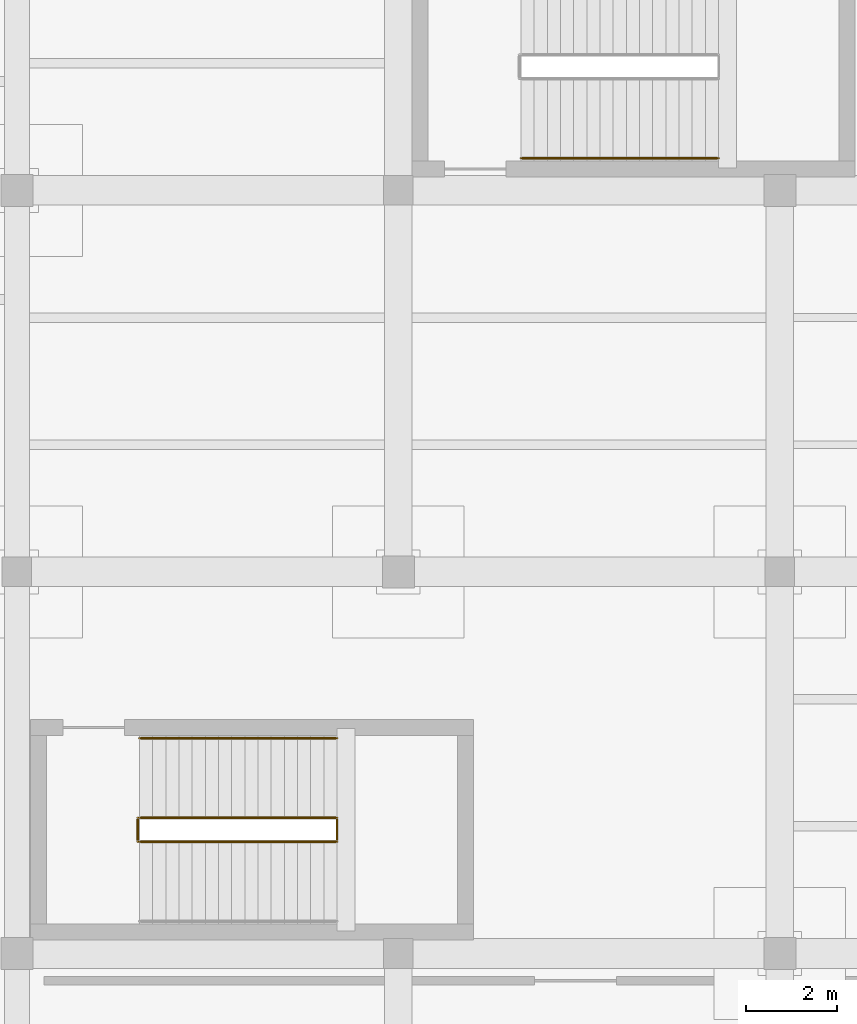
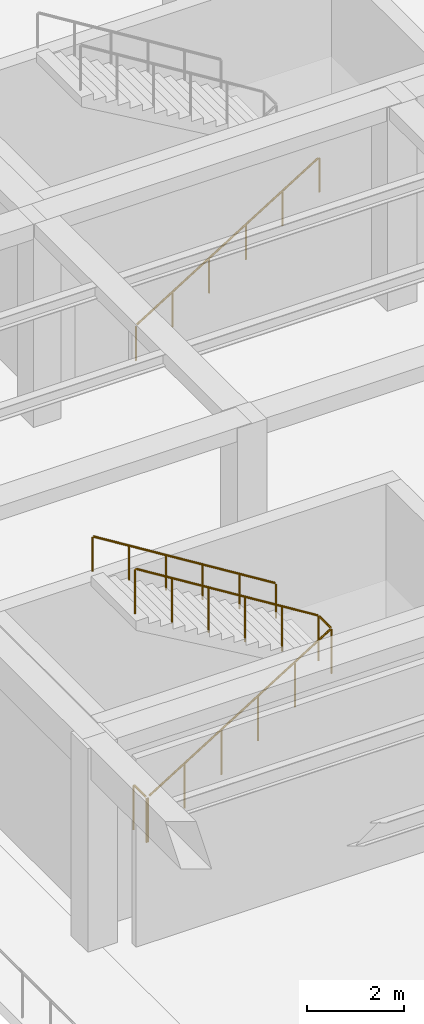
# One storey, part 57 of 65: 4 railings.
"""IFC4 building model written with IfcOpenShell, lengths in metres."""

import ifcopenshell
import ifcopenshell.guid

model = None  # the IFC model being written
_history = None  # IfcOwnerHistory: only IFC2X3 demands one
_inside = {}  # id of a spatial element -> (the spatial element, [elements in it])
_under = {}  # id of a project, library or spatial element -> (it, [spatial elements below it])
_declared = {}  # id of a project -> (the project, [libraries it declares])
_typed = {}  # id of a type object -> (the type object, [elements of that type])
_made_of = {}  # id of a material, layer set ... -> (it, [elements and type objects made of it])


def new_model(schema):
    """Start an empty IFC model of exactly this schema.

    Asked for "IFC4X3", IfcOpenShell would pick the latest addendum, in which some entities
    have other attributes; the version numbers below select the first issue.
    IFC2X3 requires an IfcOwnerHistory on every rooted entity: one is made here for all.
    """
    global model, _history
    if schema == "IFC4X3":
        model = ifcopenshell.file(schema_version=(4, 3, 0, 0))
    else:
        model = ifcopenshell.file(schema=schema)
    _inside.clear()
    _under.clear()
    _declared.clear()
    _typed.clear()
    _made_of.clear()
    _history = None
    if model.schema == "IFC2X3":
        org = make("IfcOrganization", Name="unknown")
        user = make(
            "IfcPersonAndOrganization",
            ThePerson=make("IfcPerson", FamilyName="unknown"),
            TheOrganization=org,
        )
        app = make(
            "IfcApplication",
            ApplicationDeveloper=org,
            Version="unknown",
            ApplicationFullName="unknown",
            ApplicationIdentifier="unknown",
        )
        _history = make(
            "IfcOwnerHistory",
            OwningUser=user,
            OwningApplication=app,
            ChangeAction="ADDED",
            CreationDate=0,
        )
    return model


def make(cls, **values):
    """One entity of the class cls with the attributes given. An attribute that is None is left unset."""
    return model.create_entity(
        cls, **{name: value for name, value in values.items() if value is not None}
    )


def rooted(cls, **values):
    """An entity with a GlobalId (a new one), such as an element, a storey or a relation."""
    return make(cls, GlobalId=ifcopenshell.guid.new(), OwnerHistory=_history, **values)


def si_unit(unit_type, name, prefix=None):
    """IfcSIUnit, for example si_unit("LENGTHUNIT", "METRE", prefix="MILLI")."""
    return make("IfcSIUnit", UnitType=unit_type, Prefix=prefix, Name=name)


def assignment(units):
    """IfcUnitAssignment: the units of a project."""
    return None if units is None else make("IfcUnitAssignment", Units=units)


def point(xyz):
    """IfcCartesianPoint."""
    return None if xyz is None else make("IfcCartesianPoint", Coordinates=xyz)


def direction(xyz):
    """IfcDirection."""
    return None if xyz is None else make("IfcDirection", DirectionRatios=xyz)


def frame(location, z_axis=None, x_axis=None):
    """IfcAxis2Placement3D, a coordinate frame: its origin and axes. An axis left out is left unset."""
    return make(
        "IfcAxis2Placement3D",
        Location=point(location),
        Axis=direction(z_axis),
        RefDirection=direction(x_axis),
    )


def frame_2d(location, x_axis=None):
    """IfcAxis2Placement2D, a coordinate frame in the plane: its origin and x axis."""
    return make(
        "IfcAxis2Placement2D", Location=point(location), RefDirection=direction(x_axis)
    )


def origin():
    """The frame at (0, 0, 0) with its axes left unset."""
    return frame((0.0, 0.0, 0.0))


def origin_2d():
    """The frame at (0, 0) in the plane with its x axis left unset."""
    return frame_2d((0.0, 0.0))


def place(relative_to, where):
    """IfcLocalPlacement: puts the frame where relative to a parent placement (None: the world)."""
    return make(
        "IfcLocalPlacement", PlacementRelTo=relative_to, RelativePlacement=where
    )


def context(
    kind, dimensions, precision=None, world=None, true_north=None, identifier=None
):
    """IfcGeometricRepresentationContext, for example the 3D "Model" context."""
    return make(
        "IfcGeometricRepresentationContext",
        ContextIdentifier=identifier,
        ContextType=kind,
        CoordinateSpaceDimension=dimensions,
        Precision=precision,
        WorldCoordinateSystem=world,
        TrueNorth=true_north,
    )


def subcontext(parent, identifier, kind, view, scale=None):
    """IfcGeometricRepresentationSubContext, for example "Body" below "Model"."""
    return make(
        "IfcGeometricRepresentationSubContext",
        ContextIdentifier=identifier,
        ContextType=kind,
        ParentContext=parent,
        TargetScale=scale,
        TargetView=view,
    )


def project(units=None, contexts=None):
    """IfcProject with its units and contexts."""
    return rooted(
        "IfcProject",
        Name="project",
        RepresentationContexts=contexts,
        UnitsInContext=assignment(units),
    )


def spatial(cls, under=None, at=None, **own):
    """A site, building, storey or space (cls), placed at a placement, below another one or the project."""
    s = rooted(cls, ObjectPlacement=at, **own)
    if under is not None:
        _under.setdefault(under.id(), (under, []))[1].append(s)
    return s


def profile(cls, at=None, kind="AREA", **sizes):
    """A parametric profile (cls). Its sizes go by their IFC names, for example OverallWidth=200.0."""
    return make(cls, ProfileType=kind, Position=at, **sizes)


def circle(**sizes):
    """IfcCircleProfileDef."""
    return profile("IfcCircleProfileDef", **sizes)


def extrude(swept, where, along, depth):
    """IfcExtrudedAreaSolid: the profile swept, set in the frame where, extruded along a direction by depth."""
    return make(
        "IfcExtrudedAreaSolid",
        SweptArea=swept,
        Position=where,
        ExtrudedDirection=direction(along),
        Depth=depth,
    )


def shape(context_of_items, identifier, shape_type, items):
    """IfcShapeRepresentation: the items that make up one representation, for example the "Body"."""
    return make(
        "IfcShapeRepresentation",
        ContextOfItems=context_of_items,
        RepresentationIdentifier=identifier,
        RepresentationType=shape_type,
        Items=items,
    )


def material(Name=None, Category=None):
    """IfcMaterial."""
    return make("IfcMaterial", Name=Name, Category=Category)


def made_of(thing, what):
    """Note that an element or type object is made of a material, layer set ...; save() writes the relation."""
    if what is not None:
        _made_of.setdefault(what.id(), (what, []))[1].append(thing)
    return thing


def type_object(cls, material=None, **own):
    """A type object (cls), such as IfcWallType, which elements share."""
    return made_of(rooted(cls, **own), material)


def element(
    cls,
    number,
    at=None,
    inside=None,
    cuts=None,
    type_object=None,
    material=None,
    context=None,
    identifier="Body",
    shape_type=None,
    held_by="IfcProductDefinitionShape",
    body=None,
    shapes=None,
    **own,
):
    """One element of the class cls, such as IfcWall. Its Tag is "e" and its number.

    at: its placement. inside: the storey or other place that contains it. cuts: it is an
    opening in that element (IfcRelVoidsElement). A single representation is given by context,
    identifier, shape_type and body (its items); several are given by shapes. held_by: the class
    of the entity that holds the representations. save() writes the other relations.
    """
    e = rooted(cls, Tag="e%d" % number, ObjectPlacement=at, **own)
    if body is not None:
        shapes = [shape(context, identifier, shape_type, body)]
    if shapes is not None:
        e.Representation = make(held_by, Representations=shapes)
    if inside is not None:
        _inside.setdefault(inside.id(), (inside, []))[1].append(e)
    if cuts is not None:
        rooted(
            "IfcRelVoidsElement", RelatingBuildingElement=cuts, RelatedOpeningElement=e
        )
    if type_object is not None:
        _typed.setdefault(type_object.id(), (type_object, []))[1].append(e)
    return made_of(e, material)


def aggregate(whole, parts):
    """IfcRelAggregates: a whole, such as a stair, and the parts it consists of."""
    return rooted("IfcRelAggregates", RelatingObject=whole, RelatedObjects=parts)


def save(model, path):
    """Write the relations noted so far, then the file.

    IfcRelAggregates (storeys below a building ...), IfcRelContainedInSpatialStructure (elements
    in a storey), IfcRelDefinesByType, IfcRelAssociatesMaterial and IfcRelDeclares: one each for
    every whole, place, type object, material and project.
    """
    for whole, parts in _under.values():
        aggregate(whole, parts)
    for where, things in _inside.values():
        rooted(
            "IfcRelContainedInSpatialStructure",
            RelatedElements=things,
            RelatingStructure=where,
        )
    for kind, things in _typed.values():
        rooted("IfcRelDefinesByType", RelatedObjects=things, RelatingType=kind)
    for what, things in _made_of.values():
        rooted("IfcRelAssociatesMaterial", RelatedObjects=things, RelatingMaterial=what)
    for by, libraries in _declared.values():
        rooted("IfcRelDeclares", RelatingContext=by, RelatedDefinitions=libraries)
    model.write(path)


model = new_model("IFC4")

# Units and contexts
model_context = context("Model", 3, precision=1e-05, world=origin(), true_north=direction((0.0, 1.0)))
body_context = subcontext(model_context, "Body", "Model", "MODEL_VIEW")
ifc_project = project(units=[si_unit("LENGTHUNIT", "METRE"), si_unit("AREAUNIT", "SQUARE_METRE"), si_unit("VOLUMEUNIT", "CUBIC_METRE"), si_unit("PLANEANGLEUNIT", "RADIAN"), si_unit("MASSUNIT", "GRAM", prefix="KILO")], contexts=[model_context])

# Site, building, storey
site_placement = place(None, origin())
site = spatial("IfcSite", under=ifc_project, at=site_placement, CompositionType="ELEMENT")
building_placement = place(site_placement, origin())
building = spatial("IfcBuilding", under=site, at=building_placement, Name="Almacenes y Pasaje Nevantli", CompositionType="ELEMENT")
storey_placement = place(building_placement, frame((0.0, 0.0, 16.800048828125)))
storey = spatial("IfcBuildingStorey", under=building, at=storey_placement, Name="L04", CompositionType="ELEMENT", Elevation=16.800048828125)

# Railings
ifc_material_1 = material(Name="Brushed Stainless Steel and Tempered Safety Glass", Category="steel")
railing_type_1 = type_object("IfcRailingType", Name="RL-GUARD-1100", PredefinedType="BALUSTRADE", material=ifc_material_1)
railing_1_placement = place(storey_placement, frame((95.10009765625, 44.4599609375, 0.0)))
element("IfcRailing", 1, at=railing_1_placement, inside=storey, type_object=railing_type_1, Name="L04 Stair ST-08 Inner Well Guard Balustrade", PredefinedType="BALUSTRADE", context=body_context, shape_type="SweptSolid", body=[
    extrude(circle(Radius=0.02392578125, at=origin_2d()), frame((0.025390625, 0.0, 1.1416015625), z_axis=(0.849636482215, 0.0, 0.527368797038), x_axis=(0.0, 1.0, 0.0)), (0.0, 0.0, 1.0), 5.0595703125),
    extrude(circle(Radius=0.02392578125, at=origin_2d()), frame((4.349853515625, 0.030029296875, 3.82568359375), z_axis=(0.0, 1.0, 0.0), x_axis=(-1.0, 0.0, 0.0)), (0.0, 0.0, 1.0), 0.469970703125),
    extrude(circle(Radius=0.02392578125, at=origin_2d()), frame((4.324462890625, 0.530029296875, 3.841552734375), z_axis=(-0.849636482215, 0.0, 0.527368797038), x_axis=(0.0, -1.0, 0.0)), (0.0, 0.0, 1.0), 5.0595703125),
    extrude(circle(Radius=0.02099609375, at=origin_2d()), origin(), (0.0, 0.0, 1.0), 1.096923828125),
    extrude(circle(Radius=0.02099609375, at=origin_2d()), frame((0.869873046875, 0.0, 0.5400390625)), (0.0, 0.0, 1.0), 1.096923828125),
    extrude(circle(Radius=0.02099609375, at=origin_2d()), frame((1.739990234375, 0.0, 1.080078125)), (0.0, 0.0, 1.0), 1.096923828125),
    extrude(circle(Radius=0.02099609375, at=origin_2d()), frame((2.60986328125, 0.0, 1.619873046875)), (0.0, 0.0, 1.0), 1.096923828125),
    extrude(circle(Radius=0.02099609375, at=origin_2d()), frame((3.47998046875, 0.0, 2.159912109375)), (0.0, 0.0, 1.0), 1.096923828125),
    extrude(circle(Radius=0.02099609375, at=origin_2d()), frame((4.349853515625, 0.0, 2.699951171875)), (0.0, 0.0, 1.0), 1.096923828125),
    extrude(circle(Radius=0.02099609375, at=origin_2d()), frame((4.349853515625, 0.530029296875, 2.699951171875)), (0.0, 0.0, 1.0), 1.096923828125),
    extrude(circle(Radius=0.02099609375, at=origin_2d()), frame((3.47998046875, 0.530029296875, 3.239990234375)), (0.0, 0.0, 1.0), 1.096923828125),
    extrude(circle(Radius=0.02099609375, at=origin_2d()), frame((2.60986328125, 0.530029296875, 3.780029296875)), (0.0, 0.0, 1.0), 1.096923828125),
    extrude(circle(Radius=0.02099609375, at=origin_2d()), frame((1.739990234375, 0.530029296875, 4.31982421875)), (0.0, 0.0, 1.0), 1.096923828125),
    extrude(circle(Radius=0.02099609375, at=origin_2d()), frame((0.869873046875, 0.530029296875, 4.85986328125)), (0.0, 0.0, 1.0), 1.096923828125),
    extrude(circle(Radius=0.02099609375, at=origin_2d()), frame((0.0, 0.530029296875, 5.39990234375)), (0.0, 0.0, 1.0), 1.096923828125),
])
railing_2_placement = place(storey_placement, frame((95.06005859375, 44.4599609375, 0.0)))
element("IfcRailing", 2, at=railing_2_placement, inside=storey, type_object=railing_type_1, Name="L04 Stair ST-08 Landing Well Slot Guard", PredefinedType="BALUSTRADE", context=body_context, shape_type="SweptSolid", body=[
    extrude(circle(Radius=0.02392578125, at=origin_2d()), frame((0.0, 0.030029296875, 1.1259765625), z_axis=(0.0, 1.0, 0.0), x_axis=(-1.0, 0.0, 0.0)), (0.0, 0.0, 1.0), 0.469970703125),
    extrude(circle(Radius=0.02099609375, at=origin_2d()), origin(), (0.0, 0.0, 1.0), 1.096923828125),
    extrude(circle(Radius=0.02099609375, at=origin_2d()), frame((0.0, 0.530029296875, 0.0)), (0.0, 0.0, 1.0), 1.096923828125),
])
ifc_material_2 = material(Name="Brushed Stainless Steel Tube", Category="steel")
railing_type_2 = type_object("IfcRailingType", Name="RL-HANDRAIL-900", PredefinedType="HANDRAIL", material=ifc_material_2)
railing_3_placement = place(storey_placement, frame((99.449951171875, 46.739990234375, 2.699951171875)))
element("IfcRailing", 3, at=railing_3_placement, inside=storey, type_object=railing_type_2, Name="L04 Stair ST-08 Upper Flight Handrail", PredefinedType="HANDRAIL", context=body_context, shape_type="SweptSolid", body=[
    extrude(circle(Radius=0.02392578125, at=origin_2d()), frame((-0.025390625, 0.0, 0.8916015625), z_axis=(-0.849636482215, 0.0, 0.527368797038), x_axis=(0.0, -1.0, 0.0)), (0.0, 0.0, 1.0), 5.0595703125),
    extrude(circle(Radius=0.02099609375, at=origin_2d()), origin(), (0.0, 0.0, 1.0), 0.846923828125),
    extrude(circle(Radius=0.02099609375, at=origin_2d()), frame((-0.869873046875, 0.0, 0.5400390625)), (0.0, 0.0, 1.0), 0.846923828125),
    extrude(circle(Radius=0.02099609375, at=origin_2d()), frame((-1.739990234375, 0.0, 1.080078125)), (0.0, 0.0, 1.0), 0.846923828125),
    extrude(circle(Radius=0.02099609375, at=origin_2d()), frame((-2.60986328125, 0.0, 1.619873046875)), (0.0, 0.0, 1.0), 0.846923828125),
    extrude(circle(Radius=0.02099609375, at=origin_2d()), frame((-3.47998046875, 0.0, 2.159912109375)), (0.0, 0.0, 1.0), 0.846923828125),
    extrude(circle(Radius=0.02099609375, at=origin_2d()), frame((-4.349853515625, 0.0, 2.699951171875)), (0.0, 0.0, 1.0), 0.846923828125),
])
railing_4_placement = place(storey_placement, frame((103.5, 59.510009765625, 0.0)))
element("IfcRailing", 4, at=railing_4_placement, inside=storey, type_object=railing_type_2, Name="L04 Stair ST-13 Lower Flight Handrail", PredefinedType="HANDRAIL", context=body_context, shape_type="SweptSolid", body=[
    extrude(circle(Radius=0.02392578125, at=origin_2d()), frame((0.025390625, 0.0, 0.8916015625), z_axis=(0.849649743971, 0.0, 0.527347430608), x_axis=(0.0, 1.0, 0.0)), (0.0, 0.0, 1.0), 5.059814453125),
    extrude(circle(Radius=0.02099609375, at=origin_2d()), origin(), (0.0, 0.0, 1.0), 0.846923828125),
    extrude(circle(Radius=0.02099609375, at=origin_2d()), frame((0.8701171875, 0.0, 0.5400390625)), (0.0, 0.0, 1.0), 0.846923828125),
    extrude(circle(Radius=0.02099609375, at=origin_2d()), frame((1.739990234375, 0.0, 1.080078125)), (0.0, 0.0, 1.0), 0.846923828125),
    extrude(circle(Radius=0.02099609375, at=origin_2d()), frame((2.610107421875, 0.0, 1.619873046875)), (0.0, 0.0, 1.0), 0.846923828125),
    extrude(circle(Radius=0.02099609375, at=origin_2d()), frame((3.47998046875, 0.0, 2.159912109375)), (0.0, 0.0, 1.0), 0.846923828125),
    extrude(circle(Radius=0.02099609375, at=origin_2d()), frame((4.35009765625, 0.0, 2.699951171875)), (0.0, 0.0, 1.0), 0.846923828125),
])

save(model, "model.ifc")
